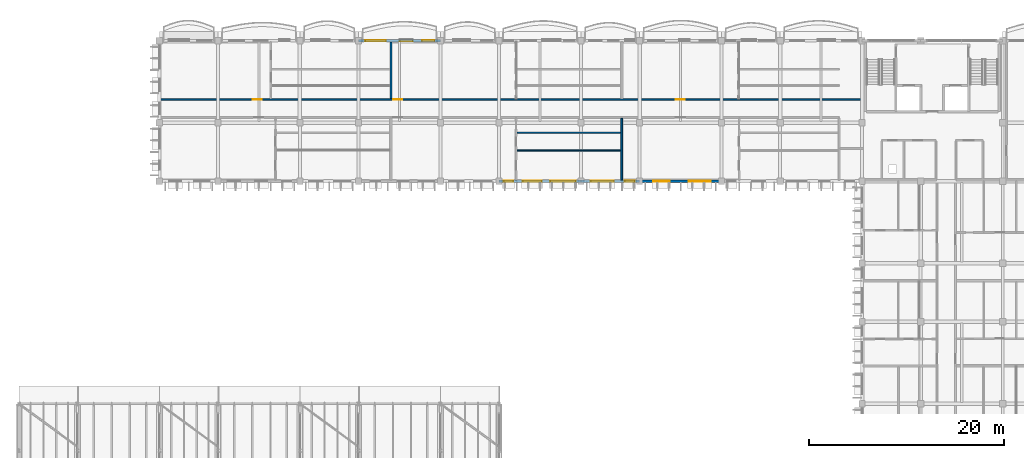
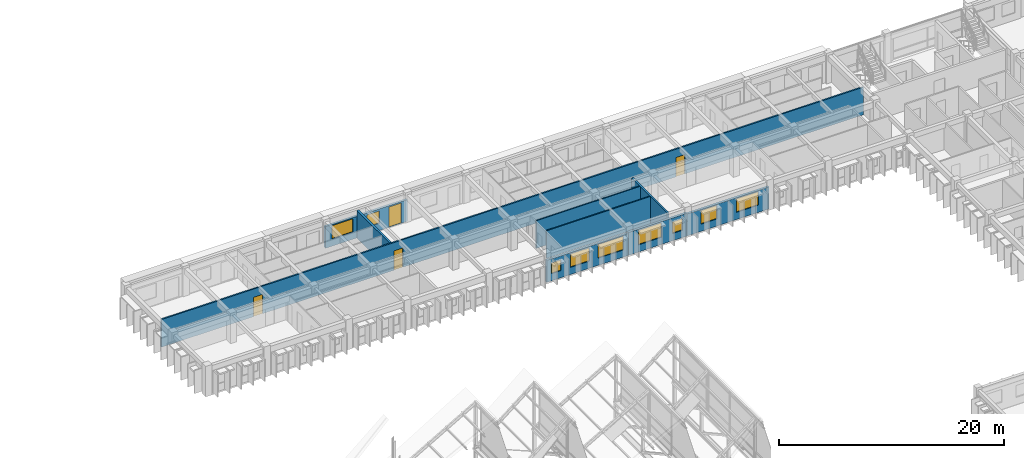
# One storey, part 56 of 101: 9 walls, 9 windows, 4 doors, 13 openings.
"""IFC4 building model written with IfcOpenShell, lengths in metres."""

from ifc_helpers import new_model, si_unit, direction, frame, frame_2d, origin, place, context, subcontext, project, spatial, rectangle, extrude, material, layer, layer_set, type_object, element, fill, save


model = new_model("IFC4")

# Units and contexts
model_context = context("Model", 3, precision=1e-05, world=origin(), true_north=direction((0.0, 1.0)))
body_context = subcontext(model_context, "Body", "Model", "MODEL_VIEW")
ifc_project = project(units=[si_unit("LENGTHUNIT", "METRE"), si_unit("AREAUNIT", "SQUARE_METRE"), si_unit("VOLUMEUNIT", "CUBIC_METRE"), si_unit("PLANEANGLEUNIT", "RADIAN"), si_unit("MASSUNIT", "GRAM", prefix="KILO"), si_unit("THERMODYNAMICTEMPERATUREUNIT", "KELVIN")], contexts=[model_context])

# Site, building, storey
site_placement = place(None, origin())
site = spatial("IfcSite", under=ifc_project, at=site_placement, CompositionType="ELEMENT")
building_placement = place(site_placement, origin())
building = spatial("IfcBuilding", under=site, at=building_placement, Name="Thalorik Housing Commons", CompositionType="ELEMENT")
storey_placement = place(building_placement, frame((0.0, 0.0, 8.10009765625)))
storey = spatial("IfcBuildingStorey", under=building, at=storey_placement, Name="L02", CompositionType="ELEMENT", Elevation=8.10009765625)

# Wall, openings, doors
ifc_material_1 = material(Name="Masonry fire-rated corridor wall", Category="masonry")
ifc_layer_1 = layer(ifc_material_1, 0.14990234375, Name="Masonry fire-rated corridor wall", Category="masonry")
ifc_layer_set_1 = layer_set([ifc_layer_1], Name="Masonry fire-rated corridor wall")
wall_type_1 = type_object("IfcWallType", Name="ARC-WAL-CORR-150", PredefinedType="PARTITIONING", material=ifc_layer_set_1)
wall_1_placement = place(storey_placement, frame((80.51953125, 117.580078125, 0.0), z_axis=(0.0, 0.0, 1.0), x_axis=(1.0, 0.0, 0.0)))
wall_1 = element("IfcWall", 1, at=wall_1_placement, inside=storey, type_object=wall_type_1, Name="L02 Block B N Corridor Wall 2", PredefinedType="PARTITIONING", context=body_context, shape_type="SweptSolid", body=[
    extrude(rectangle(XDim=72.0205078125, YDim=0.14990234375, at=frame_2d((36.01025390625, 0.0))), origin(), (0.0, 0.0, 1.0), 3.0),
])
opening_1_placement = place(wall_1_placement, frame((9.46875, 0.0, 0.0)))
opening_1 = element("IfcOpeningElement", 2, at=opening_1_placement, cuts=wall_1, Name="Opening ID-1046", PredefinedType="OPENING", context=body_context, shape_type="SweptSolid", body=[
    extrude(rectangle(XDim=0.919921875, YDim=2.10009765625, at=frame_2d((0.4599609375, 1.050048828125))), frame((0.0, 0.0849609375, 0.0), z_axis=(0.0, -1.0, 0.0), x_axis=(1.0, 0.0, 0.0)), (0.0, 0.0, 1.0), 0.169921875),
])
opening_2_placement = place(wall_1_placement, frame((23.8505859375, 0.0, 0.0)))
opening_2 = element("IfcOpeningElement", 3, at=opening_2_placement, cuts=wall_1, Name="Opening ID-1047", PredefinedType="OPENING", context=body_context, shape_type="SweptSolid", body=[
    extrude(rectangle(XDim=0.919921875, YDim=2.10009765625, at=frame_2d((0.4599609375, 1.050048828125))), frame((0.0, 0.0849609375, 0.0), z_axis=(0.0, -1.0, 0.0), x_axis=(1.0, 0.0, 0.0)), (0.0, 0.0, 1.0), 0.169921875),
])
opening_3_placement = place(wall_1_placement, frame((52.775390625, 0.0, 0.0)))
opening_3 = element("IfcOpeningElement", 4, at=opening_3_placement, cuts=wall_1, Name="Opening ID-1048", PredefinedType="OPENING", context=body_context, shape_type="SweptSolid", body=[
    extrude(rectangle(XDim=0.919921875, YDim=2.10009765625, at=frame_2d((0.4599609375, 1.050048828125))), frame((0.0, 0.0849609375, 0.0), z_axis=(0.0, -1.0, 0.0), x_axis=(1.0, 0.0, 0.0)), (0.0, 0.0, 1.0), 0.169921875),
])
ifc_material_2 = material(Name="Solid core hardwood timber", Category="wood")
door_type_1 = type_object("IfcDoorType", Name="ARC-DR-FD30-920", OperationType="NOTDEFINED", PredefinedType="DOOR", material=ifc_material_2)
door_1_placement = place(opening_1_placement, origin())
door_1 = element("IfcDoor", 5, at=door_1_placement, inside=storey, type_object=door_type_1, Name="L02 Flat BN-1B Entrance Door", OperationType="SINGLE_SWING_LEFT", OverallHeight=2.10009765625, OverallWidth=0.919921875, PredefinedType="DOOR", context=body_context, shape_type="SweptSolid", body=[
    extrude(rectangle(XDim=0.919921875, YDim=2.10009765625, at=frame_2d((0.4599609375, 1.050048828125))), frame((0.0, 0.02490234375, 0.0), z_axis=(0.0, -1.0, 0.0), x_axis=(1.0, 0.0, 0.0)), (0.0, 0.0, 1.0), 0.050048828125),
])
fill(opening_1, door_1)
door_2_placement = place(opening_2_placement, origin())
door_2 = element("IfcDoor", 6, at=door_2_placement, inside=storey, type_object=door_type_1, Name="L02 Flat BN-2B Entrance Door", OperationType="SINGLE_SWING_RIGHT", OverallHeight=2.10009765625, OverallWidth=0.919921875, PredefinedType="DOOR", context=body_context, shape_type="SweptSolid", body=[
    extrude(rectangle(XDim=0.919921875, YDim=2.10009765625, at=frame_2d((0.4599609375, 1.050048828125))), frame((0.0, 0.02490234375, 0.0), z_axis=(0.0, -1.0, 0.0), x_axis=(1.0, 0.0, 0.0)), (0.0, 0.0, 1.0), 0.050048828125),
])
fill(opening_2, door_2)
door_3_placement = place(opening_3_placement, origin())
door_3 = element("IfcDoor", 7, at=door_3_placement, inside=storey, type_object=door_type_1, Name="L02 Flat BN-3B Entrance Door", OperationType="SINGLE_SWING_LEFT", OverallHeight=2.10009765625, OverallWidth=0.919921875, PredefinedType="DOOR", context=body_context, shape_type="SweptSolid", body=[
    extrude(rectangle(XDim=0.919921875, YDim=2.10009765625, at=frame_2d((0.4599609375, 1.050048828125))), frame((0.0, 0.02490234375, 0.0), z_axis=(0.0, -1.0, 0.0), x_axis=(1.0, 0.0, 0.0)), (0.0, 0.0, 1.0), 0.050048828125),
])
fill(opening_3, door_3)

# Wall, openings, door, windows
ifc_material_3 = material(Name="White precast concrete C40/50", Category="concrete")
ifc_layer_2 = layer(ifc_material_3, 0.235107421875, Name="White precast concrete C40/50", Category="concrete")
ifc_layer_set_2 = layer_set([ifc_layer_2], Name="White precast concrete C40/50")
wall_type_2 = type_object("IfcWallType", Name="ARC-WAL-EXT-235", PredefinedType="STANDARD", material=ifc_layer_set_2)
wall_2_placement = place(storey_placement, frame((109.199951171875, 123.60009765625, 0.0), z_axis=(0.0, 0.0, 1.0), x_axis=(-1.0, 0.0, 0.0)))
wall_2 = element("IfcWall", 8, at=wall_2_placement, inside=storey, type_object=wall_type_2, Name="L02 Exterior Wall WAL-EXT-L02-B-0456", PredefinedType="STANDARD", context=body_context, shape_type="SweptSolid", body=[
    extrude(rectangle(XDim=8.39990234375, YDim=0.235107421875, at=frame_2d((4.199951171875, 0.0))), origin(), (0.0, 0.0, 1.0), 2.344970703125),
])
opening_4_placement = place(wall_2_placement, frame((0.6201171875, 0.0, 0.0)))
opening_4 = element("IfcOpeningElement", 9, at=opening_4_placement, cuts=wall_2, Name="Opening ED-0132", PredefinedType="OPENING", context=body_context, shape_type="SweptSolid", body=[
    extrude(rectangle(XDim=1.25, YDim=2.199951171875, at=frame_2d((0.625, 1.10009765625))), frame((0.0, 0.12744140625, 0.0), z_axis=(0.0, -1.0, 0.0), x_axis=(1.0, 0.0, 0.0)), (0.0, 0.0, 1.0), 0.255126953125),
])
opening_5_placement = place(wall_2_placement, frame((2.840087890625, 0.0, 0.780029296875)))
opening_5 = element("IfcOpeningElement", 10, at=opening_5_placement, cuts=wall_2, Name="Opening W-48", PredefinedType="OPENING", context=body_context, shape_type="SweptSolid", body=[
    extrude(rectangle(XDim=1.320068359375, YDim=1.35009765625, at=frame_2d((0.66015625, 0.675048828125))), frame((0.0, 0.12744140625, 0.0), z_axis=(0.0, -1.0, 0.0), x_axis=(1.0, 0.0, 0.0)), (0.0, 0.0, 1.0), 0.255126953125),
])
opening_6_placement = place(wall_2_placement, frame((5.5849609375, 0.0, 0.780029296875)))
opening_6 = element("IfcOpeningElement", 11, at=opening_6_placement, cuts=wall_2, Name="Opening W-64", PredefinedType="OPENING", context=body_context, shape_type="SweptSolid", body=[
    extrude(rectangle(XDim=2.1201171875, YDim=1.43994140625, at=frame_2d((1.06005859375, 0.719970703125))), frame((0.0, 0.12744140625, 0.0), z_axis=(0.0, -1.0, 0.0), x_axis=(1.0, 0.0, 0.0)), (0.0, 0.0, 1.0), 0.255126953125),
])
ifc_material_4 = material(Name="Anodised aluminium and laminated safety glass", Category="aluminium")
door_type_2 = type_object("IfcDoorType", Name="ARC-DR-BAL-1250", OperationType="NOTDEFINED", PredefinedType="DOOR", material=ifc_material_4)
door_4_placement = place(opening_4_placement, frame((1.25, 0.0, 0.0), z_axis=(0.0, 0.0, 1.0), x_axis=(-1.0, 0.0, 0.0)))
door_4 = element("IfcDoor", 12, at=door_4_placement, inside=storey, type_object=door_type_2, Name="L02 Block B Balcony Glazed Door", OperationType="SINGLE_SWING_LEFT", OverallHeight=2.199951171875, OverallWidth=1.25, PredefinedType="DOOR", context=body_context, shape_type="SweptSolid", body=[
    extrude(rectangle(XDim=1.25, YDim=2.199951171875, at=frame_2d((0.625, 1.10009765625))), frame((0.0, 0.02490234375, 0.0), z_axis=(0.0, -1.0, 0.0), x_axis=(1.0, 0.0, 0.0)), (0.0, 0.0, 1.0), 0.050048828125),
])
fill(opening_4, door_4)
ifc_material_5 = material(Name="Anodised aluminium and solar-control low-E glass", Category="aluminium")
window_type_1 = type_object("IfcWindowType", Name="ARC-WIN-48", PartitioningType="SINGLE_PANEL", PredefinedType="WINDOW", material=ifc_material_5)
window_1_placement = place(opening_5_placement, origin())
window_1 = element("IfcWindow", 13, at=window_1_placement, inside=storey, type_object=window_type_1, Name="L02 Facade Window 810", OverallHeight=1.35009765625, OverallWidth=1.320068359375, PartitioningType="SINGLE_PANEL", PredefinedType="WINDOW", context=body_context, shape_type="SweptSolid", body=[
    extrude(rectangle(XDim=1.320068359375, YDim=1.35009765625, at=frame_2d((0.66015625, 0.675048828125))), frame((0.0, 0.030029296875, 0.0), z_axis=(0.0, -1.0, 0.0), x_axis=(1.0, 0.0, 0.0)), (0.0, 0.0, 1.0), 0.06005859375),
])
fill(opening_5, window_1)
window_type_2 = type_object("IfcWindowType", Name="ARC-WIN-64", PartitioningType="DOUBLE_PANEL_VERTICAL", PredefinedType="WINDOW", material=ifc_material_5)
window_2_placement = place(opening_6_placement, origin())
window_2 = element("IfcWindow", 14, at=window_2_placement, inside=storey, type_object=window_type_2, Name="L02 Facade Window 811", OverallHeight=1.43994140625, OverallWidth=2.1201171875, PartitioningType="DOUBLE_PANEL_VERTICAL", PredefinedType="WINDOW", context=body_context, shape_type="SweptSolid", body=[
    extrude(rectangle(XDim=2.1201171875, YDim=1.43994140625, at=frame_2d((1.06005859375, 0.719970703125))), frame((0.0, 0.030029296875, 0.0), z_axis=(0.0, -1.0, 0.0), x_axis=(1.0, 0.0, 0.0)), (0.0, 0.0, 1.0), 0.06005859375),
])
fill(opening_6, window_2)

# Wall, openings, windows
wall_3_placement = place(storey_placement, frame((115.199951171875, 109.199951171875, 0.0), z_axis=(0.0, 0.0, 1.0), x_axis=(1.0, 0.0, 0.0)))
wall_3 = element("IfcWall", 15, at=wall_3_placement, inside=storey, type_object=wall_type_2, Name="L02 Exterior Wall WAL-EXT-L02-B-0467", PredefinedType="STANDARD", context=body_context, shape_type="SweptSolid", body=[
    extrude(rectangle(XDim=8.400146484375, YDim=0.235107421875, at=frame_2d((4.2001953125, 0.0))), origin(), (0.0, 0.0, 1.0), 2.375),
])
opening_7_placement = place(wall_3_placement, frame((0.4951171875, 0.0, 0.780029296875)))
opening_7 = element("IfcOpeningElement", 16, at=opening_7_placement, cuts=wall_3, Name="Opening W-43", PredefinedType="OPENING", context=body_context, shape_type="SweptSolid", body=[
    extrude(rectangle(XDim=0.949951171875, YDim=1.14990234375, at=frame_2d((0.47509765625, 0.574951171875))), frame((0.0, 0.12744140625, 0.0), z_axis=(0.0, -1.0, 0.0), x_axis=(1.0, 0.0, 0.0)), (0.0, 0.0, 1.0), 0.255126953125),
])
opening_8_placement = place(wall_3_placement, frame((2.43994140625, 0.0, 0.780029296875)))
opening_8 = element("IfcOpeningElement", 17, at=opening_8_placement, cuts=wall_3, Name="Opening W-60", PredefinedType="OPENING", context=body_context, shape_type="SweptSolid", body=[
    extrude(rectangle(XDim=1.919921875, YDim=1.43994140625, at=frame_2d((0.9599609375, 0.719970703125))), frame((0.0, 0.12744140625, 0.0), z_axis=(0.0, -1.0, 0.0), x_axis=(1.0, 0.0, 0.0)), (0.0, 0.0, 1.0), 0.255126953125),
])
opening_9_placement = place(wall_3_placement, frame((5.27001953125, 0.0, 0.780029296875)))
opening_9 = element("IfcOpeningElement", 18, at=opening_9_placement, cuts=wall_3, Name="Opening W-73", PredefinedType="OPENING", context=body_context, shape_type="SweptSolid", body=[
    extrude(rectangle(XDim=2.580078125, YDim=1.47998046875, at=frame_2d((1.2900390625, 0.739990234375))), frame((0.0, 0.12744140625, 0.0), z_axis=(0.0, -1.0, 0.0), x_axis=(1.0, 0.0, 0.0)), (0.0, 0.0, 1.0), 0.255126953125),
])
window_type_3 = type_object("IfcWindowType", Name="ARC-WIN-43", PartitioningType="SINGLE_PANEL", PredefinedType="WINDOW", material=ifc_material_5)
window_3_placement = place(opening_7_placement, origin())
window_3 = element("IfcWindow", 19, at=window_3_placement, inside=storey, type_object=window_type_3, Name="L02 Facade Window 833", OverallHeight=1.14990234375, OverallWidth=0.949951171875, PartitioningType="SINGLE_PANEL", PredefinedType="WINDOW", context=body_context, shape_type="SweptSolid", body=[
    extrude(rectangle(XDim=0.949951171875, YDim=1.14990234375, at=frame_2d((0.47509765625, 0.574951171875))), frame((0.0, 0.030029296875, 0.0), z_axis=(0.0, -1.0, 0.0), x_axis=(1.0, 0.0, 0.0)), (0.0, 0.0, 1.0), 0.06005859375),
])
fill(opening_7, window_3)
window_type_4 = type_object("IfcWindowType", Name="ARC-WIN-60", PartitioningType="DOUBLE_PANEL_VERTICAL", PredefinedType="WINDOW", material=ifc_material_5)
window_4_placement = place(opening_8_placement, origin())
window_4 = element("IfcWindow", 20, at=window_4_placement, inside=storey, type_object=window_type_4, Name="L02 Facade Window 834", OverallHeight=1.43994140625, OverallWidth=1.919921875, PartitioningType="DOUBLE_PANEL_VERTICAL", PredefinedType="WINDOW", context=body_context, shape_type="SweptSolid", body=[
    extrude(rectangle(XDim=1.919921875, YDim=1.43994140625, at=frame_2d((0.9599609375, 0.719970703125))), frame((0.0, 0.030029296875, 0.0), z_axis=(0.0, -1.0, 0.0), x_axis=(1.0, 0.0, 0.0)), (0.0, 0.0, 1.0), 0.06005859375),
])
fill(opening_8, window_4)
window_type_5 = type_object("IfcWindowType", Name="ARC-WIN-73", PartitioningType="DOUBLE_PANEL_VERTICAL", PredefinedType="WINDOW", material=ifc_material_5)
window_5_placement = place(opening_9_placement, origin())
window_5 = element("IfcWindow", 21, at=window_5_placement, inside=storey, type_object=window_type_5, Name="L02 Facade Window 835", OverallHeight=1.47998046875, OverallWidth=2.580078125, PartitioningType="DOUBLE_PANEL_VERTICAL", PredefinedType="WINDOW", context=body_context, shape_type="SweptSolid", body=[
    extrude(rectangle(XDim=2.580078125, YDim=1.47998046875, at=frame_2d((1.2900390625, 0.739990234375))), frame((0.0, 0.030029296875, 0.0), z_axis=(0.0, -1.0, 0.0), x_axis=(1.0, 0.0, 0.0)), (0.0, 0.0, 1.0), 0.06005859375),
])
fill(opening_9, window_5)

wall_4_placement = place(storey_placement, frame((123.60009765625, 109.199951171875, 0.0), z_axis=(0.0, 0.0, 1.0), x_axis=(1.0, 0.0, 0.0)))
wall_4 = element("IfcWall", 22, at=wall_4_placement, inside=storey, type_object=wall_type_2, Name="L02 Exterior Wall WAL-EXT-L02-B-0468", PredefinedType="STANDARD", context=body_context, shape_type="SweptSolid", body=[
    extrude(rectangle(XDim=6.0, YDim=0.235107421875, at=frame_2d((3.0, 0.0))), origin(), (0.0, 0.0, 1.0), 2.474853515625),
])
opening_10_placement = place(wall_4_placement, frame((1.010009765625, 0.0, 0.780029296875)))
opening_10 = element("IfcOpeningElement", 23, at=opening_10_placement, cuts=wall_4, Name="Opening W-33", PredefinedType="OPENING", context=body_context, shape_type="SweptSolid", body=[
    extrude(rectangle(XDim=2.35009765625, YDim=1.550048828125, at=frame_2d((1.175048828125, 0.77490234375))), frame((0.0, 0.12744140625, 0.0), z_axis=(0.0, -1.0, 0.0), x_axis=(1.0, 0.0, 0.0)), (0.0, 0.0, 1.0), 0.255126953125),
])
opening_11_placement = place(wall_4_placement, frame((4.4951171875, 0.0, 0.780029296875)))
opening_11 = element("IfcOpeningElement", 24, at=opening_11_placement, cuts=wall_4, Name="Opening W-02", PredefinedType="OPENING", context=body_context, shape_type="SweptSolid", body=[
    extrude(rectangle(XDim=1.0, YDim=1.25, at=frame_2d((0.5, 0.625))), frame((0.0, 0.12744140625, 0.0), z_axis=(0.0, -1.0, 0.0), x_axis=(1.0, 0.0, 0.0)), (0.0, 0.0, 1.0), 0.255126953125),
])
window_type_6 = type_object("IfcWindowType", Name="ARC-WIN-02", PartitioningType="SINGLE_PANEL", PredefinedType="WINDOW", material=ifc_material_5)
window_6_placement = place(opening_11_placement, origin())
window_6 = element("IfcWindow", 25, at=window_6_placement, inside=storey, type_object=window_type_6, Name="L02 Facade Window 837", OverallHeight=1.25, OverallWidth=1.0, PartitioningType="SINGLE_PANEL", PredefinedType="WINDOW", context=body_context, shape_type="SweptSolid", body=[
    extrude(rectangle(XDim=1.0, YDim=1.25, at=frame_2d((0.5, 0.625))), frame((0.0, 0.030029296875, 0.0), z_axis=(0.0, -1.0, 0.0), x_axis=(1.0, 0.0, 0.0)), (0.0, 0.0, 1.0), 0.06005859375),
])
fill(opening_11, window_6)
window_type_7 = type_object("IfcWindowType", Name="ARC-WIN-33", PartitioningType="DOUBLE_PANEL_VERTICAL", PredefinedType="WINDOW", material=ifc_material_5)
window_7_placement = place(opening_10_placement, origin())
window_7 = element("IfcWindow", 26, at=window_7_placement, inside=storey, type_object=window_type_7, Name="L02 Facade Window 836", OverallHeight=1.550048828125, OverallWidth=2.35009765625, PartitioningType="DOUBLE_PANEL_VERTICAL", PredefinedType="WINDOW", context=body_context, shape_type="SweptSolid", body=[
    extrude(rectangle(XDim=2.35009765625, YDim=1.550048828125, at=frame_2d((1.175048828125, 0.77490234375))), frame((0.0, 0.030029296875, 0.0), z_axis=(0.0, -1.0, 0.0), x_axis=(1.0, 0.0, 0.0)), (0.0, 0.0, 1.0), 0.06005859375),
])
fill(opening_10, window_7)

wall_5_placement = place(storey_placement, frame((129.60009765625, 109.199951171875, 0.0), z_axis=(0.0, 0.0, 1.0), x_axis=(1.0, 0.0, 0.0)))
wall_5 = element("IfcWall", 27, at=wall_5_placement, inside=storey, type_object=wall_type_2, Name="L02 Exterior Wall WAL-EXT-L02-B-0469", PredefinedType="STANDARD", context=body_context, shape_type="SweptSolid", body=[
    extrude(rectangle(XDim=8.39990234375, YDim=0.235107421875, at=frame_2d((4.199951171875, 0.0))), origin(), (0.0, 0.0, 1.0), 2.375),
])
opening_12_placement = place(wall_5_placement, frame((1.389892578125, 0.0, 0.780029296875)))
opening_12 = element("IfcOpeningElement", 28, at=opening_12_placement, cuts=wall_5, Name="Opening W-55", PredefinedType="OPENING", context=body_context, shape_type="SweptSolid", body=[
    extrude(rectangle(XDim=1.679931640625, YDim=1.4599609375, at=frame_2d((0.83984375, 0.72998046875))), frame((0.0, 0.12744140625, 0.0), z_axis=(0.0, -1.0, 0.0), x_axis=(1.0, 0.0, 0.0)), (0.0, 0.0, 1.0), 0.255126953125),
])
opening_13_placement = place(wall_5_placement, frame((5.030029296875, 0.0, 0.780029296875)))
opening_13 = element("IfcOpeningElement", 29, at=opening_13_placement, cuts=wall_5, Name="Opening W-67", PredefinedType="OPENING", context=body_context, shape_type="SweptSolid", body=[
    extrude(rectangle(XDim=2.280029296875, YDim=1.4599609375, at=frame_2d((1.14013671875, 0.72998046875))), frame((0.0, 0.12744140625, 0.0), z_axis=(0.0, -1.0, 0.0), x_axis=(1.0, 0.0, 0.0)), (0.0, 0.0, 1.0), 0.255126953125),
])
window_type_8 = type_object("IfcWindowType", Name="ARC-WIN-55", PartitioningType="DOUBLE_PANEL_VERTICAL", PredefinedType="WINDOW", material=ifc_material_5)
window_8_placement = place(opening_12_placement, origin())
window_8 = element("IfcWindow", 30, at=window_8_placement, inside=storey, type_object=window_type_8, Name="L02 Facade Window 838", OverallHeight=1.4599609375, OverallWidth=1.679931640625, PartitioningType="DOUBLE_PANEL_VERTICAL", PredefinedType="WINDOW", context=body_context, shape_type="SweptSolid", body=[
    extrude(rectangle(XDim=1.679931640625, YDim=1.4599609375, at=frame_2d((0.83984375, 0.72998046875))), frame((0.0, 0.030029296875, 0.0), z_axis=(0.0, -1.0, 0.0), x_axis=(1.0, 0.0, 0.0)), (0.0, 0.0, 1.0), 0.06005859375),
])
fill(opening_12, window_8)
window_type_9 = type_object("IfcWindowType", Name="ARC-WIN-67", PartitioningType="DOUBLE_PANEL_VERTICAL", PredefinedType="WINDOW", material=ifc_material_5)
window_9_placement = place(opening_13_placement, origin())
window_9 = element("IfcWindow", 31, at=window_9_placement, inside=storey, type_object=window_type_9, Name="L02 Facade Window 839", OverallHeight=1.4599609375, OverallWidth=2.280029296875, PartitioningType="DOUBLE_PANEL_VERTICAL", PredefinedType="WINDOW", context=body_context, shape_type="SweptSolid", body=[
    extrude(rectangle(XDim=2.280029296875, YDim=1.4599609375, at=frame_2d((1.14013671875, 0.72998046875))), frame((0.0, 0.030029296875, 0.0), z_axis=(0.0, -1.0, 0.0), x_axis=(1.0, 0.0, 0.0)), (0.0, 0.0, 1.0), 0.06005859375),
])
fill(opening_13, window_9)

# Walls
ifc_material_6 = material(Name="Gypsum moisture-resistant partition", Category="masonry")
ifc_layer_3 = layer(ifc_material_6, 0.114990234375, Name="Gypsum moisture-resistant partition", Category="masonry")
ifc_layer_set_3 = layer_set([ifc_layer_3], Name="Gypsum moisture-resistant partition")
wall_type_3 = type_object("IfcWallType", Name="ARC-WAL-PART-115", PredefinedType="PARTITIONING", material=ifc_layer_set_3)
wall_6_placement = place(storey_placement, frame((117.02197265625, 114.169677734375, 0.0), z_axis=(0.0, 0.0, 1.0), x_axis=(1.0, 0.0, 0.0)))
element("IfcWall", 32, at=wall_6_placement, inside=storey, type_object=wall_type_3, Name="L02 Unit 2 Wet Wall", PredefinedType="PARTITIONING", context=body_context, shape_type="SweptSolid", body=[
    extrude(rectangle(XDim=10.66357421875, YDim=0.114990234375, at=frame_2d((5.331787109375, 0.0))), origin(), (0.0, 0.0, 1.0), 3.0),
])
ifc_material_7 = material(Name="Gypsum acoustic stud partition", Category="masonry")
ifc_layer_4 = layer(ifc_material_7, 0.125, Name="Gypsum acoustic stud partition", Category="masonry")
ifc_layer_set_4 = layer_set([ifc_layer_4], Name="Gypsum acoustic stud partition")
wall_type_4 = type_object("IfcWallType", Name="ARC-WAL-PART-125", PredefinedType="PARTITIONING", material=ifc_layer_set_4)
wall_7_placement = place(storey_placement, frame((117.02197265625, 112.36083984375, 0.0), z_axis=(0.0, 0.0, 1.0), x_axis=(1.0, 0.0, 0.0)))
element("IfcWall", 33, at=wall_7_placement, inside=storey, type_object=wall_type_4, Name="L02 Unit 2 Bedroom Partition", PredefinedType="PARTITIONING", context=body_context, shape_type="SweptSolid", body=[
    extrude(rectangle(XDim=10.66357421875, YDim=0.125, at=frame_2d((5.331787109375, 0.0))), origin(), (0.0, 0.0, 1.0), 3.0),
])
ifc_material_8 = material(Name="Masonry acoustic blockwork wall", Category="masonry")
ifc_layer_5 = layer(ifc_material_8, 0.18505859375, Name="Masonry acoustic blockwork wall", Category="masonry")
ifc_layer_set_5 = layer_set([ifc_layer_5], Name="Masonry acoustic blockwork wall")
wall_type_5 = type_object("IfcWallType", Name="ARC-WAL-PARTY-185", PredefinedType="PARTITIONING", material=ifc_layer_set_5)
wall_8_placement = place(storey_placement, frame((127.780029296875, 109.319580078125, 0.0), z_axis=(0.0, 0.0, 1.0), x_axis=(0.0, 1.0, 0.0)))
element("IfcWall", 34, at=wall_8_placement, inside=storey, type_object=wall_type_5, Name="L02 Inter-Tenancy Wall 2A", PredefinedType="PARTITIONING", context=body_context, shape_type="SweptSolid", body=[
    extrude(rectangle(XDim=6.31591796875, YDim=0.18505859375, at=frame_2d((3.157958984375, 0.0))), origin(), (0.0, 0.0, 1.0), 3.0),
])
ifc_material_9 = material(Name="Precast concrete C40/50 acoustic wall", Category="concrete")
ifc_layer_6 = layer(ifc_material_9, 0.219970703125, Name="Precast concrete C40/50 acoustic wall", Category="concrete")
ifc_layer_set_6 = layer_set([ifc_layer_6], Name="Precast concrete C40/50 acoustic wall")
wall_type_6 = type_object("IfcWallType", Name="ARC-WAL-PARTY-220", PredefinedType="PARTITIONING", material=ifc_layer_set_6)
wall_9_placement = place(storey_placement, frame((104.1201171875, 117.656982421875, 0.0), z_axis=(0.0, 0.0, 1.0), x_axis=(0.0, 1.0, 0.0)))
element("IfcWall", 35, at=wall_9_placement, inside=storey, type_object=wall_type_6, Name="L02 Inter-Tenancy Wall 1B", PredefinedType="PARTITIONING", context=body_context, shape_type="SweptSolid", body=[
    extrude(rectangle(XDim=5.823486328125, YDim=0.219970703125, at=frame_2d((2.91162109375, 0.0))), origin(), (0.0, 0.0, 1.0), 3.0),
])

save(model, "model.ifc")
